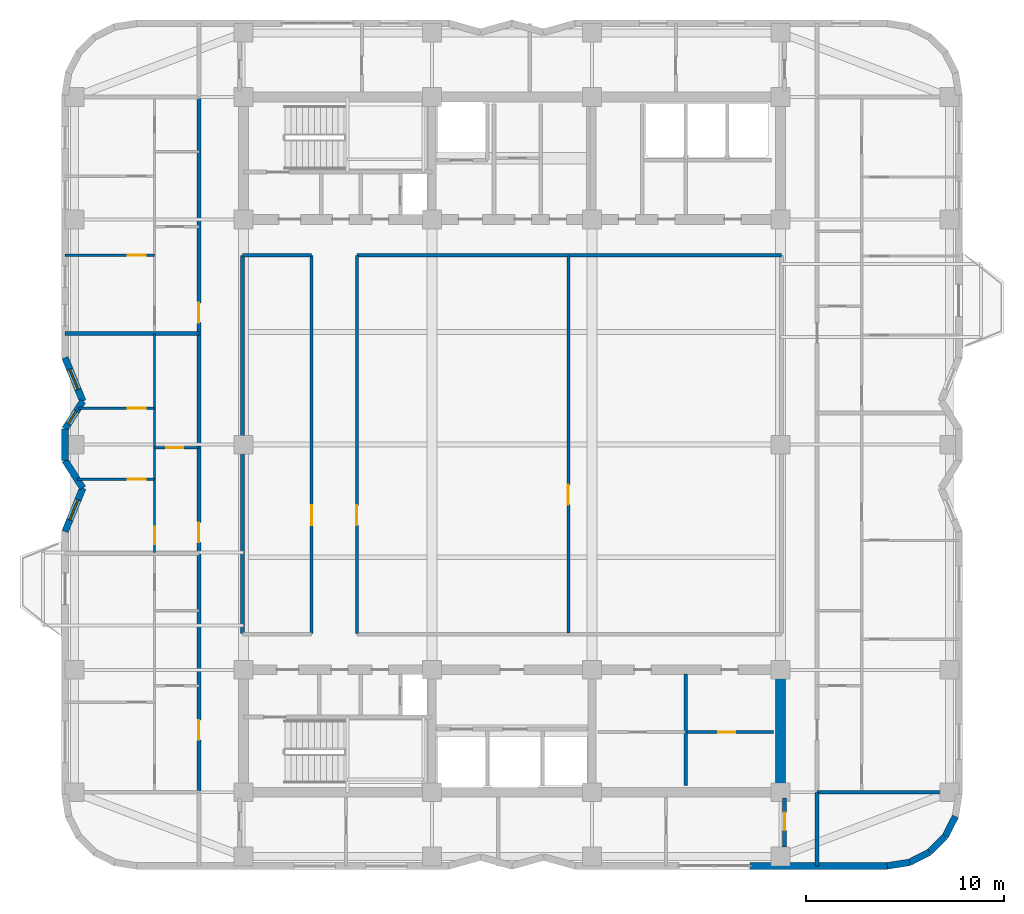
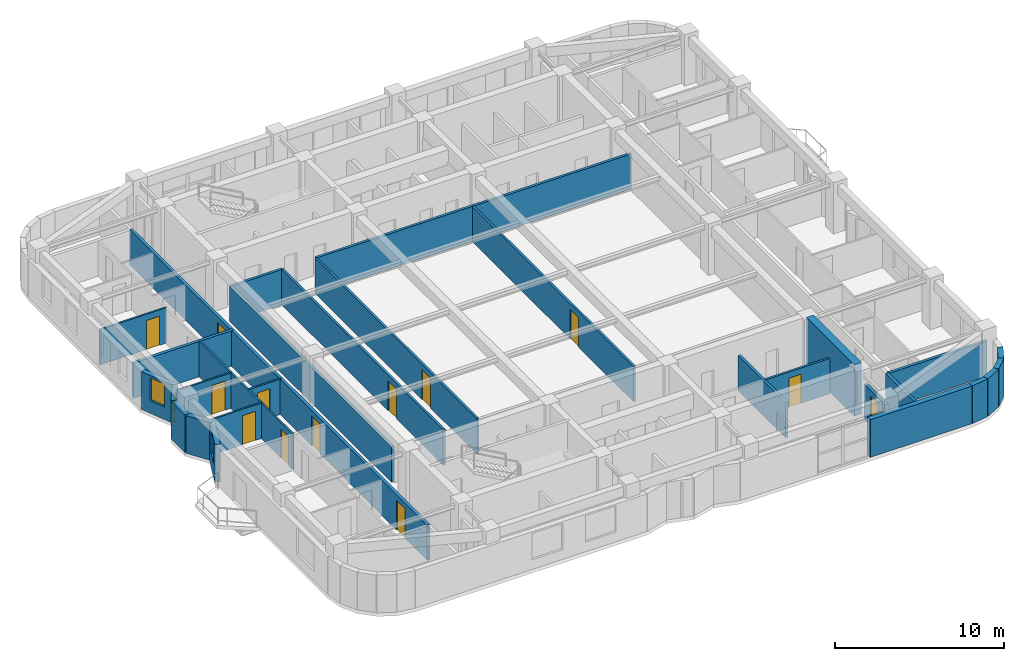
# One storey, part 6 of 12: 29 walls, 13 doors, 3 windows, 16 openings.
"""IFC4 building model written with IfcOpenShell, lengths in metres."""

from ifc_helpers import new_model, si_unit, direction, frame, frame_2d, origin, place, context, subcontext, project, spatial, rectangle, extrude, material, layer, layer_set, type_object, element, fill, save


model = new_model("IFC4")

# Units and contexts
model_context = context("Model", 3, precision=1e-05, world=origin(), true_north=direction((0.0, 1.0)))
body_context = subcontext(model_context, "Body", "Model", "MODEL_VIEW")
ifc_project = project(units=[si_unit("LENGTHUNIT", "METRE"), si_unit("AREAUNIT", "SQUARE_METRE"), si_unit("VOLUMEUNIT", "CUBIC_METRE"), si_unit("PLANEANGLEUNIT", "RADIAN"), si_unit("MASSUNIT", "GRAM", prefix="KILO")], contexts=[model_context])

# Site, building, storey
site_placement = place(None, origin())
site = spatial("IfcSite", under=ifc_project, at=site_placement, CompositionType="ELEMENT")
building_placement = place(site_placement, origin())
building = spatial("IfcBuilding", under=site, at=building_placement, Name="Svetorya Sky Lyceum", CompositionType="ELEMENT")
storey_placement = place(building_placement, frame((0.0, 0.0, 158.89990234375)))
storey = spatial("IfcBuildingStorey", under=building, at=storey_placement, Name="L39", CompositionType="ELEMENT", Elevation=158.89990234375)

# Walls
ifc_material_1 = material(Name="Concrete C50/60", Category="concrete")
ifc_layer_1 = layer(ifc_material_1, 0.5)
ifc_layer_set_1 = layer_set([ifc_layer_1], Name="Concrete C50/60")
wall_type_1 = type_object("IfcWallType", Name="WL-CORE-500", PredefinedType="SHEAR", material=ifc_layer_set_1)
wall_1_placement = place(storey_placement, frame((52.800048828125, 10.85009765625, 0.0), z_axis=(0.0, 0.0, 1.0), x_axis=(0.0, 1.0, 0.0)))
element("IfcWall", 1, at=wall_1_placement, inside=storey, type_object=wall_type_1, Name="L39 SC East Core Shear Wall", PredefinedType="SHEAR", context=body_context, shape_type="SweptSolid", body=[
    extrude(rectangle(XDim=5.699951171875, YDim=0.5, at=frame_2d((2.85009765625, 0.0))), origin(), (0.0, 0.0, 1.0), 3.7001953125),
])
ifc_material_2 = material(Name="Putilovo limestone rainscreen on autoclaved cellular masonry", Category="masonry")
ifc_layer_2 = layer(ifc_material_2, 0.340087890625)
ifc_layer_set_2 = layer_set([ifc_layer_2], Name="Putilovo limestone rainscreen on autoclaved cellular masonry")
wall_type_2 = type_object("IfcWallType", Name="WL-EXT-340", PredefinedType="SOLIDWALL", material=ifc_layer_set_2)
wall_2_placement = place(storey_placement, frame((51.25, 6.8701171875, 0.0), z_axis=(0.0, 0.0, 1.0), x_axis=(1.0, 0.0, 0.0)))
element("IfcWall", 2, at=wall_2_placement, inside=storey, type_object=wall_type_2, Name="L39 Limestone Exterior Wall 11B", PredefinedType="SOLIDWALL", context=body_context, shape_type="SweptSolid", body=[
    extrude(rectangle(XDim=6.949951171875, YDim=0.340087890625, at=frame_2d((3.47509765625, 0.0))), origin(), (0.0, 0.0, 1.0), 2.72021484375),
])
for number, where, z_axis, x_axis, name in (
    (3, (58.199951171875, 6.8701171875, 0.0), (0.0, 0.0, 1.0), (0.987714116584, 0.156271634985, 0.0), "L39 Limestone Exterior Wall 12M"),
    (4, (59.32177734375, 7.047607421875, 0.0), (0.0, 0.0, 1.0), (0.891005044957, 0.453993402883, 0.0), "L39 Limestone Exterior Wall 13M"),
):
    element("IfcWall", number, at=place(storey_placement, frame(where, z_axis=z_axis, x_axis=x_axis)), inside=storey, type_object=wall_type_2, Name=name, PredefinedType="SOLIDWALL", context=body_context, shape_type="SweptSolid", body=[
        extrude(rectangle(XDim=1.1357421875, YDim=0.340087890625, at=frame_2d((0.56787109375, 0.0))), origin(), (0.0, 0.0, 1.0), 2.72021484375),
    ])
wall_3_placement = place(storey_placement, frame((60.333740234375, 7.563232421875, 0.0), z_axis=(0.0, 0.0, 1.0), x_axis=(0.707106781187, 0.707106781187, 0.0)))
element("IfcWall", 5, at=wall_3_placement, inside=storey, type_object=wall_type_2, Name="L39 Limestone Exterior Wall 14M", PredefinedType="SOLIDWALL", context=body_context, shape_type="SweptSolid", body=[
    extrude(rectangle(XDim=1.135498046875, YDim=0.340087890625, at=frame_2d((0.56787109375, 0.0))), origin(), (0.0, 0.0, 1.0), 2.72021484375),
])
wall_4_placement = place(storey_placement, frame((61.13671875, 8.3662109375, 0.0), z_axis=(0.0, 0.0, 1.0), x_axis=(0.45390646422, 0.891049337433, 0.0)))
element("IfcWall", 6, at=wall_4_placement, inside=storey, type_object=wall_type_2, Name="L39 Limestone Exterior Wall 15M", PredefinedType="SOLIDWALL", context=body_context, shape_type="SweptSolid", body=[
    extrude(rectangle(XDim=1.135986328125, YDim=0.340087890625, at=frame_2d((0.56787109375, 0.0))), origin(), (0.0, 0.0, 1.0), 2.72021484375),
])

# Wall, opening, window
wall_5_placement = place(storey_placement, frame((16.570068359375, 32.60009765625, 0.0), z_axis=(0.0, 0.0, 1.0), x_axis=(0.378568858991, -0.925573130013, 0.0)))
wall_5 = element("IfcWall", 7, at=wall_5_placement, inside=storey, type_object=wall_type_2, Name="L39 Limestone Exterior Wall 41M", PredefinedType="SOLIDWALL", context=body_context, shape_type="SweptSolid", body=[
    extrude(rectangle(XDim=2.377197265625, YDim=0.340087890625, at=frame_2d((1.1884765625, 0.0))), origin(), (0.0, 0.0, 1.0), 2.72021484375),
])
opening_1_placement = place(wall_5_placement, frame((0.638427734375, 0.0, 0.909912109375)))
opening_1 = element("IfcOpeningElement", 8, at=opening_1_placement, cuts=wall_5, Name="Opening W-R3", PredefinedType="OPENING", context=body_context, shape_type="SweptSolid", body=[
    extrude(rectangle(XDim=1.10009765625, YDim=1.64990234375, at=frame_2d((0.550048828125, 0.824951171875))), frame((0.0, 0.179931640625, 0.0), z_axis=(0.0, -1.0, 0.0), x_axis=(1.0, 0.0, 0.0)), (0.0, 0.0, 1.0), 0.360107421875),
])
ifc_material_3 = material(Name="Thermally broken aluminium frame with triple low-E glazing", Category="aluminium")
window_type_1 = type_object("IfcWindowType", Name="WN-RES-110", PartitioningType="SINGLE_PANEL", PredefinedType="WINDOW", material=ifc_material_3)
window_1_placement = place(opening_1_placement, origin())
window_1 = element("IfcWindow", 9, at=window_1_placement, inside=storey, type_object=window_type_1, Name="L39 Facade Window W-R3.41M.1", OverallHeight=1.64990234375, OverallWidth=1.10009765625, PartitioningType="SINGLE_PANEL", PredefinedType="WINDOW", context=body_context, shape_type="SweptSolid", body=[
    extrude(rectangle(XDim=1.10009765625, YDim=1.64990234375, at=frame_2d((0.550048828125, 0.824951171875))), frame((0.0, 0.030029296875, 0.0), z_axis=(0.0, -1.0, 0.0), x_axis=(1.0, 0.0, 0.0)), (0.0, 0.0, 1.0), 0.06005859375),
])
fill(opening_1, window_1)

wall_6_placement = place(storey_placement, frame((17.469970703125, 30.39990234375, 0.0), z_axis=(0.0, 0.0, 1.0), x_axis=(-0.540742762169, -0.841188008214, 0.0)))
wall_6 = element("IfcWall", 10, at=wall_6_placement, inside=storey, type_object=wall_type_2, Name="L39 Limestone Exterior Wall 42M", PredefinedType="SOLIDWALL", context=body_context, shape_type="SweptSolid", body=[
    extrude(rectangle(XDim=1.664306640625, YDim=0.340087890625, at=frame_2d((0.83203125, 0.0))), origin(), (0.0, 0.0, 1.0), 2.72021484375),
])
opening_2_placement = place(wall_6_placement, frame((0.60009765625, 0.0, 0.909912109375)))
opening_2 = element("IfcOpeningElement", 11, at=opening_2_placement, cuts=wall_6, Name="Opening W-R5", PredefinedType="OPENING", context=body_context, shape_type="SweptSolid", body=[
    extrude(rectangle(XDim=0.75, YDim=1.64990234375, at=frame_2d((0.375, 0.824951171875))), frame((0.0, 0.179931640625, 0.0), z_axis=(0.0, -1.0, 0.0), x_axis=(1.0, 0.0, 0.0)), (0.0, 0.0, 1.0), 0.360107421875),
])
window_type_2 = type_object("IfcWindowType", Name="WN-RES-075", PartitioningType="SINGLE_PANEL", PredefinedType="WINDOW", material=ifc_material_3)
window_2_placement = place(opening_2_placement, origin())
window_2 = element("IfcWindow", 12, at=window_2_placement, inside=storey, type_object=window_type_2, Name="L39 Facade Window W-R5.42M.1", OverallHeight=1.64990234375, OverallWidth=0.75, PartitioningType="SINGLE_PANEL", PredefinedType="WINDOW", context=body_context, shape_type="SweptSolid", body=[
    extrude(rectangle(XDim=0.75, YDim=1.64990234375, at=frame_2d((0.375, 0.824951171875))), frame((0.0, 0.030029296875, 0.0), z_axis=(0.0, -1.0, 0.0), x_axis=(1.0, 0.0, 0.0)), (0.0, 0.0, 1.0), 0.06005859375),
])
fill(opening_2, window_2)

# Walls
wall_7_placement = place(storey_placement, frame((16.570068359375, 29.0, 0.0), z_axis=(0.0, 0.0, 1.0), x_axis=(0.0, -1.0, 0.0)))
element("IfcWall", 13, at=wall_7_placement, inside=storey, type_object=wall_type_2, Name="L39 Limestone Exterior Wall 43M", PredefinedType="SOLIDWALL", context=body_context, shape_type="SweptSolid", body=[
    extrude(rectangle(XDim=1.60009765625, YDim=0.340087890625, at=frame_2d((0.800048828125, 0.0))), origin(), (0.0, 0.0, 1.0), 2.72021484375),
])
wall_8_placement = place(storey_placement, frame((16.570068359375, 27.39990234375, 0.0), z_axis=(0.0, 0.0, 1.0), x_axis=(0.540742762169, -0.841188008214, 0.0)))
element("IfcWall", 14, at=wall_8_placement, inside=storey, type_object=wall_type_2, Name="L39 Limestone Exterior Wall 44M", PredefinedType="SOLIDWALL", context=body_context, shape_type="SweptSolid", body=[
    extrude(rectangle(XDim=1.664306640625, YDim=0.340087890625, at=frame_2d((0.83203125, 0.0))), origin(), (0.0, 0.0, 1.0), 2.72021484375),
])

# Wall, opening, window
wall_9_placement = place(storey_placement, frame((17.469970703125, 26.0, 0.0), z_axis=(0.0, 0.0, 1.0), x_axis=(-0.378604849088, -0.925558408879, 0.0)))
wall_9 = element("IfcWall", 15, at=wall_9_placement, inside=storey, type_object=wall_type_2, Name="L39 Limestone Exterior Wall 45M", PredefinedType="SOLIDWALL", context=body_context, shape_type="SweptSolid", body=[
    extrude(rectangle(XDim=2.376953125, YDim=0.340087890625, at=frame_2d((1.1884765625, 0.0))), origin(), (0.0, 0.0, 1.0), 2.72021484375),
])
opening_3_placement = place(wall_9_placement, frame((0.638427734375, 0.0, 0.909912109375)))
opening_3 = element("IfcOpeningElement", 16, at=opening_3_placement, cuts=wall_9, Name="Opening W-R3", PredefinedType="OPENING", context=body_context, shape_type="SweptSolid", body=[
    extrude(rectangle(XDim=1.10009765625, YDim=1.64990234375, at=frame_2d((0.550048828125, 0.824951171875))), frame((0.0, 0.179931640625, 0.0), z_axis=(0.0, -1.0, 0.0), x_axis=(1.0, 0.0, 0.0)), (0.0, 0.0, 1.0), 0.360107421875),
])
window_3_placement = place(opening_3_placement, origin())
window_3 = element("IfcWindow", 17, at=window_3_placement, inside=storey, type_object=window_type_1, Name="L39 Facade Window W-R3.45M.1", OverallHeight=1.64990234375, OverallWidth=1.10009765625, PartitioningType="SINGLE_PANEL", PredefinedType="WINDOW", context=body_context, shape_type="SweptSolid", body=[
    extrude(rectangle(XDim=1.10009765625, YDim=1.64990234375, at=frame_2d((0.550048828125, 0.824951171875))), frame((0.0, 0.030029296875, 0.0), z_axis=(0.0, -1.0, 0.0), x_axis=(1.0, 0.0, 0.0)), (0.0, 0.0, 1.0), 0.06005859375),
])
fill(opening_3, window_3)

# Wall, opening, door
ifc_material_4 = material(Name="Twin-stud galvanized framing with double fireboard", Category="gypsum")
ifc_layer_3 = layer(ifc_material_4, 0.1201171875)
ifc_layer_set_3 = layer_set([ifc_layer_3], Name="Twin-stud galvanized framing with double fireboard")
wall_type_3 = type_object("IfcWallType", Name="WL-PART-120", PredefinedType="PARTITIONING", material=ifc_layer_set_3)
wall_10_placement = place(storey_placement, frame((21.10009765625, 28.0400390625, 0.0), z_axis=(0.0, 0.0, 1.0), x_axis=(1.0, 0.0, 0.0)))
wall_10 = element("IfcWall", 18, at=wall_10_placement, inside=storey, type_object=wall_type_3, Name="L39 Interior Partition W2-WH1", PredefinedType="PARTITIONING", context=body_context, shape_type="SweptSolid", body=[
    extrude(rectangle(XDim=2.25, YDim=0.1201171875, at=frame_2d((1.125, 0.0))), origin(), (0.0, 0.0, 1.0), 2.550048828125),
])
opening_4_placement = place(wall_10_placement, frame((0.60009765625, 0.0, 0.0)))
opening_4 = element("IfcOpeningElement", 19, at=opening_4_placement, cuts=wall_10, Name="Opening D-BT1", PredefinedType="OPENING", context=body_context, shape_type="SweptSolid", body=[
    extrude(rectangle(XDim=0.85009765625, YDim=2.10009765625, at=frame_2d((0.425048828125, 1.050048828125))), frame((0.0, 0.070068359375, 0.0), z_axis=(0.0, -1.0, 0.0), x_axis=(1.0, 0.0, 0.0)), (0.0, 0.0, 1.0), 0.14013671875),
])
ifc_material_5 = material(Name="Moisture-resistant laminate bathroom door")
door_type_1 = type_object("IfcDoorType", Name="DR-WET-850", OperationType="SINGLE_SWING_LEFT", PredefinedType="DOOR", material=ifc_material_5)
door_1_placement = place(opening_4_placement, origin())
door_1 = element("IfcDoor", 20, at=door_1_placement, inside=storey, type_object=door_type_1, Name="Apartment W2 Bathroom Door", OperationType="SINGLE_SWING_RIGHT", OverallHeight=2.10009765625, OverallWidth=0.85009765625, PredefinedType="DOOR", context=body_context, shape_type="SweptSolid", body=[
    extrude(rectangle(XDim=0.85009765625, YDim=2.10009765625, at=frame_2d((0.425048828125, 1.050048828125))), frame((0.0, 0.02490234375, 0.0), z_axis=(0.0, -1.0, 0.0), x_axis=(1.0, 0.0, 0.0)), (0.0, 0.0, 1.0), 0.050048828125),
])
fill(opening_4, door_1)

wall_11_placement = place(storey_placement, frame((17.1806640625, 26.449951171875, 0.0), z_axis=(0.0, 0.0, 1.0), x_axis=(1.0, 0.0, 0.0)))
wall_11 = element("IfcWall", 21, at=wall_11_placement, inside=storey, type_object=wall_type_3, Name="L39 Interior Partition W2-WL1", PredefinedType="PARTITIONING", context=body_context, shape_type="SweptSolid", body=[
    extrude(rectangle(XDim=3.91943359375, YDim=0.1201171875, at=frame_2d((1.959716796875, 0.0))), origin(), (0.0, 0.0, 1.0), 2.550048828125),
])
opening_5_placement = place(wall_11_placement, frame((2.5693359375, 0.0, 0.0)))
opening_5 = element("IfcOpeningElement", 22, at=opening_5_placement, cuts=wall_11, Name="Opening D-RM1", PredefinedType="OPENING", context=body_context, shape_type="SweptSolid", body=[
    extrude(rectangle(XDim=0.89990234375, YDim=2.10009765625, at=frame_2d((0.449951171875, 1.050048828125))), frame((0.0, 0.070068359375, 0.0), z_axis=(0.0, -1.0, 0.0), x_axis=(1.0, 0.0, 0.0)), (0.0, 0.0, 1.0), 0.14013671875),
])
ifc_material_6 = material(Name="Lacquered birch veneer internal door")
door_type_2 = type_object("IfcDoorType", Name="DR-INT-900", OperationType="SINGLE_SWING_LEFT", PredefinedType="DOOR", material=ifc_material_6)
door_2_placement = place(opening_5_placement, origin())
door_2 = element("IfcDoor", 23, at=door_2_placement, inside=storey, type_object=door_type_2, Name="Apartment W2 Master Bedroom Door", OperationType="SINGLE_SWING_RIGHT", OverallHeight=2.10009765625, OverallWidth=0.89990234375, PredefinedType="DOOR", context=body_context, shape_type="SweptSolid", body=[
    extrude(rectangle(XDim=0.89990234375, YDim=2.10009765625, at=frame_2d((0.449951171875, 1.050048828125))), frame((0.0, 0.02490234375, 0.0), z_axis=(0.0, -1.0, 0.0), x_axis=(1.0, 0.0, 0.0)), (0.0, 0.0, 1.0), 0.050048828125),
])
fill(opening_5, door_2)

wall_12_placement = place(storey_placement, frame((17.2451171875, 30.050048828125, 0.0), z_axis=(0.0, 0.0, 1.0), x_axis=(1.0, 0.0, 0.0)))
wall_12 = element("IfcWall", 24, at=wall_12_placement, inside=storey, type_object=wall_type_3, Name="L39 Interior Partition W2-WL2", PredefinedType="PARTITIONING", context=body_context, shape_type="SweptSolid", body=[
    extrude(rectangle(XDim=3.85498046875, YDim=0.1201171875, at=frame_2d((1.927490234375, 0.0))), origin(), (0.0, 0.0, 1.0), 2.550048828125),
])
opening_6_placement = place(wall_12_placement, frame((2.5048828125, 0.0, 0.0)))
opening_6 = element("IfcOpeningElement", 25, at=opening_6_placement, cuts=wall_12, Name="Opening D-RM1", PredefinedType="OPENING", context=body_context, shape_type="SweptSolid", body=[
    extrude(rectangle(XDim=0.89990234375, YDim=2.10009765625, at=frame_2d((0.449951171875, 1.050048828125))), frame((0.0, 0.070068359375, 0.0), z_axis=(0.0, -1.0, 0.0), x_axis=(1.0, 0.0, 0.0)), (0.0, 0.0, 1.0), 0.14013671875),
])
door_3_placement = place(opening_6_placement, origin())
door_3 = element("IfcDoor", 26, at=door_3_placement, inside=storey, type_object=door_type_2, Name="Apartment W2 Bedroom 2 Door", OperationType="SINGLE_SWING_LEFT", OverallHeight=2.10009765625, OverallWidth=0.89990234375, PredefinedType="DOOR", context=body_context, shape_type="SweptSolid", body=[
    extrude(rectangle(XDim=0.89990234375, YDim=2.10009765625, at=frame_2d((0.449951171875, 1.050048828125))), frame((0.0, 0.02490234375, 0.0), z_axis=(0.0, -1.0, 0.0), x_axis=(1.0, 0.0, 0.0)), (0.0, 0.0, 1.0), 0.050048828125),
])
fill(opening_6, door_3)

wall_13_placement = place(storey_placement, frame((21.10009765625, 22.739990234375, 0.0), z_axis=(0.0, 0.0, 1.0), x_axis=(0.0, 1.0, 0.0)))
wall_13 = element("IfcWall", 27, at=wall_13_placement, inside=storey, type_object=wall_type_3, Name="L39 Interior Partition W2-WV", PredefinedType="PARTITIONING", context=body_context, shape_type="SweptSolid", body=[
    extrude(rectangle(XDim=11.052001953125, YDim=0.1201171875, at=frame_2d((5.52587890625, 0.0))), origin(), (0.0, 0.0, 1.0), 2.550048828125),
])
opening_7_placement = place(wall_13_placement, frame((0.409912109375, 0.0, 0.0)))
opening_7 = element("IfcOpeningElement", 28, at=opening_7_placement, cuts=wall_13, Name="Opening D-RM1", PredefinedType="OPENING", context=body_context, shape_type="SweptSolid", body=[
    extrude(rectangle(XDim=0.89990234375, YDim=2.10009765625, at=frame_2d((0.449951171875, 1.050048828125))), frame((0.0, 0.070068359375, 0.0), z_axis=(0.0, -1.0, 0.0), x_axis=(1.0, 0.0, 0.0)), (0.0, 0.0, 1.0), 0.14013671875),
])
door_4_placement = place(opening_7_placement, origin())
door_4 = element("IfcDoor", 29, at=door_4_placement, inside=storey, type_object=door_type_2, Name="Apartment W2 Living Door", OperationType="SINGLE_SWING_LEFT", OverallHeight=2.10009765625, OverallWidth=0.89990234375, PredefinedType="DOOR", context=body_context, shape_type="SweptSolid", body=[
    extrude(rectangle(XDim=0.89990234375, YDim=2.10009765625, at=frame_2d((0.449951171875, 1.050048828125))), frame((0.0, 0.02490234375, 0.0), z_axis=(0.0, -1.0, 0.0), x_axis=(1.0, 0.0, 0.0)), (0.0, 0.0, 1.0), 0.050048828125),
])
fill(opening_7, door_4)

wall_14_placement = place(storey_placement, frame((16.570068359375, 37.781982421875, 0.0), z_axis=(0.0, 0.0, 1.0), x_axis=(1.0, 0.0, 0.0)))
wall_14 = element("IfcWall", 30, at=wall_14_placement, inside=storey, type_object=wall_type_3, Name="L39 Interior Partition W3-WL1", PredefinedType="PARTITIONING", context=body_context, shape_type="SweptSolid", body=[
    extrude(rectangle(XDim=4.530029296875, YDim=0.1201171875, at=frame_2d((2.26513671875, 0.0))), origin(), (0.0, 0.0, 1.0), 2.550048828125),
])
opening_8_placement = place(wall_14_placement, frame((3.179931640625, 0.0, 0.0)))
opening_8 = element("IfcOpeningElement", 31, at=opening_8_placement, cuts=wall_14, Name="Opening D-RM1", PredefinedType="OPENING", context=body_context, shape_type="SweptSolid", body=[
    extrude(rectangle(XDim=0.89990234375, YDim=2.10009765625, at=frame_2d((0.449951171875, 1.050048828125))), frame((0.0, 0.070068359375, 0.0), z_axis=(0.0, -1.0, 0.0), x_axis=(1.0, 0.0, 0.0)), (0.0, 0.0, 1.0), 0.14013671875),
])
door_5_placement = place(opening_8_placement, origin())
door_5 = element("IfcDoor", 32, at=door_5_placement, inside=storey, type_object=door_type_2, Name="Apartment W3 Master Bedroom Door", OperationType="SINGLE_SWING_LEFT", OverallHeight=2.10009765625, OverallWidth=0.89990234375, PredefinedType="DOOR", context=body_context, shape_type="SweptSolid", body=[
    extrude(rectangle(XDim=0.89990234375, YDim=2.10009765625, at=frame_2d((0.449951171875, 1.050048828125))), frame((0.0, 0.02490234375, 0.0), z_axis=(0.0, -1.0, 0.0), x_axis=(1.0, 0.0, 0.0)), (0.0, 0.0, 1.0), 0.050048828125),
])
fill(opening_8, door_5)

ifc_material_7 = material(Name="Autoclaved cellular masonry blockwork with acoustic render", Category="masonry")
ifc_layer_4 = layer(ifc_material_7, 0.14990234375)
ifc_layer_set_4 = layer_set([ifc_layer_4], Name="Autoclaved cellular masonry blockwork with acoustic render")
wall_type_4 = type_object("IfcWallType", Name="WL-PART-150", PredefinedType="PARTITIONING", material=ifc_layer_set_4)
wall_15_placement = place(storey_placement, frame((48.050048828125, 13.64990234375, 0.0), z_axis=(0.0, 0.0, 1.0), x_axis=(1.0, 0.0, 0.0)))
wall_15 = element("IfcWall", 33, at=wall_15_placement, inside=storey, type_object=wall_type_4, Name="L39 Interior Partition SC-LV7-HE", PredefinedType="PARTITIONING", context=body_context, shape_type="SweptSolid", body=[
    extrude(rectangle(XDim=4.39990234375, YDim=0.14990234375, at=frame_2d((2.199951171875, 0.0))), origin(), (0.0, 0.0, 1.0), 2.550048828125),
])
opening_9_placement = place(wall_15_placement, frame((1.60009765625, 0.0, 0.0)))
opening_9 = element("IfcOpeningElement", 34, at=opening_9_placement, cuts=wall_15, Name="Opening D-CWC1", PredefinedType="OPENING", context=body_context, shape_type="SweptSolid", body=[
    extrude(rectangle(XDim=0.85009765625, YDim=2.10009765625, at=frame_2d((0.425048828125, 1.050048828125))), frame((0.0, 0.0849609375, 0.0), z_axis=(0.0, -1.0, 0.0), x_axis=(1.0, 0.0, 0.0)), (0.0, 0.0, 1.0), 0.169921875),
])
ifc_material_8 = material(Name="Fire-rated galvanized steel core service closet door", Category="steel")
door_type_3 = type_object("IfcDoorType", Name="DR-CWET-850", OperationType="SINGLE_SWING_LEFT", PredefinedType="DOOR", material=ifc_material_8)
door_6_placement = place(opening_9_placement, origin())
door_6 = element("IfcDoor", 35, at=door_6_placement, inside=storey, type_object=door_type_3, Name="L39 South Server Closet Door", OperationType="SINGLE_SWING_RIGHT", OverallHeight=2.10009765625, OverallWidth=0.85009765625, PredefinedType="DOOR", context=body_context, shape_type="SweptSolid", body=[
    extrude(rectangle(XDim=0.85009765625, YDim=2.10009765625, at=frame_2d((0.425048828125, 1.050048828125))), frame((0.0, 0.02490234375, 0.0), z_axis=(0.0, -1.0, 0.0), x_axis=(1.0, 0.0, 0.0)), (0.0, 0.0, 1.0), 0.050048828125),
])
fill(opening_9, door_6)

wall_16_placement = place(storey_placement, frame((42.06005859375, 18.659912109375, 0.0), z_axis=(0.0, 0.0, 1.0), x_axis=(0.0, 1.0, 0.0)))
wall_16 = element("IfcWall", 36, at=wall_16_placement, inside=storey, type_object=wall_type_4, Name="L39 Interior Partition OFF-VEMID", PredefinedType="PARTITIONING", context=body_context, shape_type="SweptSolid", body=[
    extrude(rectangle(XDim=19.080078125, YDim=0.14990234375, at=frame_2d((9.5400390625, 0.0))), origin(), (0.0, 0.0, 1.0), 2.550048828125),
])
opening_10_placement = place(wall_16_placement, frame((6.5, 0.0, 0.0)))
opening_10 = element("IfcOpeningElement", 37, at=opening_10_placement, cuts=wall_16, Name="Opening D-RM2", PredefinedType="OPENING", context=body_context, shape_type="SweptSolid", body=[
    extrude(rectangle(XDim=1.0, YDim=2.14990234375, at=frame_2d((0.5, 1.074951171875))), frame((0.0, 0.0849609375, 0.0), z_axis=(0.0, -1.0, 0.0), x_axis=(1.0, 0.0, 0.0)), (0.0, 0.0, 1.0), 0.169921875),
])
ifc_material_9 = material(Name="Solid-core oak acoustic room door")
door_type_4 = type_object("IfcDoorType", Name="DR-INT-1000", OperationType="SINGLE_SWING_LEFT", PredefinedType="DOOR", material=ifc_material_9)
door_7_placement = place(opening_10_placement, origin())
door_7 = element("IfcDoor", 38, at=door_7_placement, inside=storey, type_object=door_type_4, Name="L39 Recreation Door", OperationType="SINGLE_SWING_LEFT", OverallHeight=2.14990234375, OverallWidth=1.0, PredefinedType="DOOR", context=body_context, shape_type="SweptSolid", body=[
    extrude(rectangle(XDim=1.0, YDim=2.14990234375, at=frame_2d((0.5, 1.074951171875))), frame((0.0, 0.02490234375, 0.0), z_axis=(0.0, -1.0, 0.0), x_axis=(1.0, 0.0, 0.0)), (0.0, 0.0, 1.0), 0.050048828125),
])
fill(opening_10, door_7)

wall_17_placement = place(storey_placement, frame((29.050048828125, 18.6298828125, 0.0), z_axis=(0.0, 0.0, 1.0), x_axis=(0.0, 1.0, 0.0)))
wall_17 = element("IfcWall", 39, at=wall_17_placement, inside=storey, type_object=wall_type_4, Name="L39 Interior Partition OFF-VW", PredefinedType="PARTITIONING", context=body_context, shape_type="SweptSolid", body=[
    extrude(rectangle(XDim=19.14013671875, YDim=0.14990234375, at=frame_2d((9.570068359375, 0.0))), origin(), (0.0, 0.0, 1.0), 2.550048828125),
])
opening_11_placement = place(wall_17_placement, frame((5.5, 0.0, 0.0)))
opening_11 = element("IfcOpeningElement", 40, at=opening_11_placement, cuts=wall_17, Name="Opening D-RM2", PredefinedType="OPENING", context=body_context, shape_type="SweptSolid", body=[
    extrude(rectangle(XDim=1.0, YDim=2.14990234375, at=frame_2d((0.5, 1.074951171875))), frame((0.0, 0.0849609375, 0.0), z_axis=(0.0, -1.0, 0.0), x_axis=(1.0, 0.0, 0.0)), (0.0, 0.0, 1.0), 0.169921875),
])
door_8_placement = place(opening_11_placement, origin())
door_8 = element("IfcDoor", 41, at=door_8_placement, inside=storey, type_object=door_type_4, Name="L39 West Office Door", OperationType="SINGLE_SWING_LEFT", OverallHeight=2.14990234375, OverallWidth=1.0, PredefinedType="DOOR", context=body_context, shape_type="SweptSolid", body=[
    extrude(rectangle(XDim=1.0, YDim=2.14990234375, at=frame_2d((0.5, 1.074951171875))), frame((0.0, 0.02490234375, 0.0), z_axis=(0.0, -1.0, 0.0), x_axis=(1.0, 0.0, 0.0)), (0.0, 0.0, 1.0), 0.050048828125),
])
fill(opening_11, door_8)

wall_18_placement = place(storey_placement, frame((31.35009765625, 18.6298828125, 0.0), z_axis=(0.0, 0.0, 1.0), x_axis=(0.0, 1.0, 0.0)))
wall_18 = element("IfcWall", 42, at=wall_18_placement, inside=storey, type_object=wall_type_4, Name="L39 Interior Partition OFF-VE", PredefinedType="PARTITIONING", context=body_context, shape_type="SweptSolid", body=[
    extrude(rectangle(XDim=19.14013671875, YDim=0.14990234375, at=frame_2d((9.570068359375, 0.0))), origin(), (0.0, 0.0, 1.0), 2.550048828125),
])
opening_12_placement = place(wall_18_placement, frame((5.5, 0.0, 0.0)))
opening_12 = element("IfcOpeningElement", 43, at=opening_12_placement, cuts=wall_18, Name="Opening D-RM2", PredefinedType="OPENING", context=body_context, shape_type="SweptSolid", body=[
    extrude(rectangle(XDim=1.0, YDim=2.14990234375, at=frame_2d((0.5, 1.074951171875))), frame((0.0, 0.0849609375, 0.0), z_axis=(0.0, -1.0, 0.0), x_axis=(1.0, 0.0, 0.0)), (0.0, 0.0, 1.0), 0.169921875),
])
door_9_placement = place(opening_12_placement, origin())
door_9 = element("IfcDoor", 44, at=door_9_placement, inside=storey, type_object=door_type_4, Name="L39 Seminar Door", OperationType="SINGLE_SWING_RIGHT", OverallHeight=2.14990234375, OverallWidth=1.0, PredefinedType="DOOR", context=body_context, shape_type="SweptSolid", body=[
    extrude(rectangle(XDim=1.0, YDim=2.14990234375, at=frame_2d((0.5, 1.074951171875))), frame((0.0, 0.02490234375, 0.0), z_axis=(0.0, -1.0, 0.0), x_axis=(1.0, 0.0, 0.0)), (0.0, 0.0, 1.0), 0.050048828125),
])
fill(opening_12, door_9)

# Walls
ifc_material_10 = material(Name="Autoclaved cellular masonry blockwork with fire render", Category="masonry")
ifc_layer_5 = layer(ifc_material_10, 0.175048828125)
ifc_layer_set_5 = layer_set([ifc_layer_5], Name="Autoclaved cellular masonry blockwork with fire render")
wall_type_5 = type_object("IfcWallType", Name="WL-PART-175", PredefinedType="PARTITIONING", material=ifc_layer_set_5)
wall_19_placement = place(storey_placement, frame((48.0, 10.949951171875, 0.0), z_axis=(0.0, 0.0, 1.0), x_axis=(0.0, 1.0, 0.0)))
element("IfcWall", 45, at=wall_19_placement, inside=storey, type_object=wall_type_5, Name="L39 Interior Partition SC-LV7-V", PredefinedType="PARTITIONING", context=body_context, shape_type="SweptSolid", body=[
    extrude(rectangle(XDim=5.630126953125, YDim=0.175048828125, at=frame_2d((2.81494140625, 0.0))), origin(), (0.0, 0.0, 1.0), 2.550048828125),
])
wall_20_placement = place(storey_placement, frame((25.550048828125, 37.800048828125, 0.0), z_axis=(0.0, 0.0, 1.0), x_axis=(1.0, 0.0, 0.0)))
element("IfcWall", 46, at=wall_20_placement, inside=storey, type_object=wall_type_5, Name="L39 Interior Partition OFF-CN-W", PredefinedType="PARTITIONING", context=body_context, shape_type="SweptSolid", body=[
    extrude(rectangle(XDim=3.5, YDim=0.175048828125, at=frame_2d((1.75, 0.0))), origin(), (0.0, 0.0, 1.0), 2.550048828125),
])
wall_21_placement = place(storey_placement, frame((31.35009765625, 37.800048828125, 0.0), z_axis=(0.0, 0.0, 1.0), x_axis=(1.0, 0.0, 0.0)))
element("IfcWall", 47, at=wall_21_placement, inside=storey, type_object=wall_type_5, Name="L39 Interior Partition OFF-CN-E", PredefinedType="PARTITIONING", context=body_context, shape_type="SweptSolid", body=[
    extrude(rectangle(XDim=21.5, YDim=0.175048828125, at=frame_2d((10.75, 0.0))), origin(), (0.0, 0.0, 1.0), 2.550048828125),
])
ifc_material_11 = material(Name="Autoclaved cellular masonry blockwork with gypsum plaster", Category="masonry")
ifc_layer_6 = layer(ifc_material_11, 0.199951171875)
ifc_layer_set_6 = layer_set([ifc_layer_6], Name="Autoclaved cellular masonry blockwork with gypsum plaster")
wall_type_6 = type_object("IfcWallType", Name="WL-PART-200", PredefinedType="PARTITIONING", material=ifc_layer_set_6)
wall_22_placement = place(storey_placement, frame((25.550048828125, 18.6298828125, 0.0), z_axis=(0.0, 0.0, 1.0), x_axis=(0.0, 1.0, 0.0)))
element("IfcWall", 48, at=wall_22_placement, inside=storey, type_object=wall_type_6, Name="L39 Interior Partition W-CEN-SEP", PredefinedType="PARTITIONING", context=body_context, shape_type="SweptSolid", body=[
    extrude(rectangle(XDim=19.14013671875, YDim=0.199951171875, at=frame_2d((9.570068359375, 0.0))), origin(), (0.0, 0.0, 1.0), 2.550048828125),
])
wall_23_placement = place(storey_placement, frame((16.570068359375, 33.83203125, 0.0), z_axis=(0.0, 0.0, 1.0), x_axis=(1.0, 0.0, 0.0)))
element("IfcWall", 49, at=wall_23_placement, inside=storey, type_object=wall_type_6, Name="L39 Interior Partition W-PARTY-2", PredefinedType="PARTITIONING", context=body_context, shape_type="SweptSolid", body=[
    extrude(rectangle(XDim=6.780029296875, YDim=0.199951171875, at=frame_2d((3.39013671875, 0.0))), origin(), (0.0, 0.0, 1.0), 2.550048828125),
])

# Wall, openings, doors
wall_24_placement = place(storey_placement, frame((23.35009765625, 10.60009765625, 0.0), z_axis=(0.0, 0.0, 1.0), x_axis=(0.0, 1.0, 0.0)))
wall_24 = element("IfcWall", 50, at=wall_24_placement, inside=storey, type_object=wall_type_6, Name="L39 Interior Partition W-CORRW", PredefinedType="PARTITIONING", context=body_context, shape_type="SweptSolid", body=[
    extrude(rectangle(XDim=35.199951171875, YDim=0.199951171875, at=frame_2d((17.60009765625, 0.0))), origin(), (0.0, 0.0, 1.0), 2.550048828125),
])
opening_13_placement = place(wall_24_placement, frame((2.64990234375, 0.0, 0.0)))
opening_13 = element("IfcOpeningElement", 51, at=opening_13_placement, cuts=wall_24, Name="Opening D-APT1", PredefinedType="OPENING", context=body_context, shape_type="SweptSolid", body=[
    extrude(rectangle(XDim=1.0, YDim=2.14990234375, at=frame_2d((0.5, 1.074951171875))), frame((0.0, 0.10986328125, 0.0), z_axis=(0.0, -1.0, 0.0), x_axis=(1.0, 0.0, 0.0)), (0.0, 0.0, 1.0), 0.219970703125),
])
opening_14_placement = place(wall_24_placement, frame((12.64990234375, 0.0, 0.0)))
opening_14 = element("IfcOpeningElement", 52, at=opening_14_placement, cuts=wall_24, Name="Opening D-APT1", PredefinedType="OPENING", context=body_context, shape_type="SweptSolid", body=[
    extrude(rectangle(XDim=1.0, YDim=2.14990234375, at=frame_2d((0.5, 1.074951171875))), frame((0.0, 0.10986328125, 0.0), z_axis=(0.0, -1.0, 0.0), x_axis=(1.0, 0.0, 0.0)), (0.0, 0.0, 1.0), 0.219970703125),
])
opening_15_placement = place(wall_24_placement, frame((23.781982421875, 0.0, 0.0)))
opening_15 = element("IfcOpeningElement", 53, at=opening_15_placement, cuts=wall_24, Name="Opening D-APT1", PredefinedType="OPENING", context=body_context, shape_type="SweptSolid", body=[
    extrude(rectangle(XDim=1.0, YDim=2.14990234375, at=frame_2d((0.5, 1.074951171875))), frame((0.0, 0.10986328125, 0.0), z_axis=(0.0, -1.0, 0.0), x_axis=(1.0, 0.0, 0.0)), (0.0, 0.0, 1.0), 0.219970703125),
])
ifc_material_12 = material(Name="Insulated oak-veneered apartment entrance door")
door_type_5 = type_object("IfcDoorType", Name="DR-APT-1000", OperationType="SINGLE_SWING_LEFT", PredefinedType="DOOR", material=ifc_material_12)
door_10_placement = place(opening_13_placement, origin())
door_10 = element("IfcDoor", 54, at=door_10_placement, inside=storey, type_object=door_type_5, Name="L39 Apartment W1 Entrance Door", OperationType="SINGLE_SWING_LEFT", OverallHeight=2.14990234375, OverallWidth=1.0, PredefinedType="DOOR", context=body_context, shape_type="SweptSolid", body=[
    extrude(rectangle(XDim=1.0, YDim=2.14990234375, at=frame_2d((0.5, 1.074951171875))), frame((0.0, 0.02490234375, 0.0), z_axis=(0.0, -1.0, 0.0), x_axis=(1.0, 0.0, 0.0)), (0.0, 0.0, 1.0), 0.050048828125),
])
fill(opening_13, door_10)
door_11_placement = place(opening_14_placement, origin())
door_11 = element("IfcDoor", 55, at=door_11_placement, inside=storey, type_object=door_type_5, Name="L39 Apartment W2 Entrance Door", OperationType="SINGLE_SWING_RIGHT", OverallHeight=2.14990234375, OverallWidth=1.0, PredefinedType="DOOR", context=body_context, shape_type="SweptSolid", body=[
    extrude(rectangle(XDim=1.0, YDim=2.14990234375, at=frame_2d((0.5, 1.074951171875))), frame((0.0, 0.02490234375, 0.0), z_axis=(0.0, -1.0, 0.0), x_axis=(1.0, 0.0, 0.0)), (0.0, 0.0, 1.0), 0.050048828125),
])
fill(opening_14, door_11)
door_12_placement = place(opening_15_placement, origin())
door_12 = element("IfcDoor", 56, at=door_12_placement, inside=storey, type_object=door_type_5, Name="L39 Apartment W3 Entrance Door", OperationType="SINGLE_SWING_LEFT", OverallHeight=2.14990234375, OverallWidth=1.0, PredefinedType="DOOR", context=body_context, shape_type="SweptSolid", body=[
    extrude(rectangle(XDim=1.0, YDim=2.14990234375, at=frame_2d((0.5, 1.074951171875))), frame((0.0, 0.02490234375, 0.0), z_axis=(0.0, -1.0, 0.0), x_axis=(1.0, 0.0, 0.0)), (0.0, 0.0, 1.0), 0.050048828125),
])
fill(opening_15, door_12)

# Walls
wall_25_placement = place(storey_placement, frame((54.64990234375, 10.60009765625, 0.0), z_axis=(0.0, 0.0, 1.0), x_axis=(1.0, 0.0, 0.0)))
element("IfcWall", 57, at=wall_25_placement, inside=storey, type_object=wall_type_6, Name="L39 Interior Partition E-CAP-S", PredefinedType="PARTITIONING", context=body_context, shape_type="SweptSolid", body=[
    extrude(rectangle(XDim=6.760009765625, YDim=0.199951171875, at=frame_2d((3.3798828125, 0.0))), origin(), (0.0, 0.0, 1.0), 2.550048828125),
])
wall_26_placement = place(storey_placement, frame((54.64990234375, 6.8701171875, 0.0), z_axis=(0.0, 0.0, 1.0), x_axis=(0.0, 1.0, 0.0)))
element("IfcWall", 58, at=wall_26_placement, inside=storey, type_object=wall_type_6, Name="L39 Interior Partition EC-SE-END", PredefinedType="PARTITIONING", context=body_context, shape_type="SweptSolid", body=[
    extrude(rectangle(XDim=3.72998046875, YDim=0.199951171875, at=frame_2d((1.864990234375, 0.0))), origin(), (0.0, 0.0, 1.0), 2.550048828125),
])

# Wall, opening, door
wall_27_placement = place(storey_placement, frame((53.0, 7.820068359375, 0.0), z_axis=(0.0, 0.0, 1.0), x_axis=(0.0, 1.0, 0.0)))
wall_27 = element("IfcWall", 59, at=wall_27_placement, inside=storey, type_object=wall_type_6, Name="L39 Interior Partition S4-EE", PredefinedType="PARTITIONING", context=body_context, shape_type="SweptSolid", body=[
    extrude(rectangle(XDim=2.47998046875, YDim=0.199951171875, at=frame_2d((1.239990234375, 0.0))), origin(), (0.0, 0.0, 1.0), 2.550048828125),
])
opening_16_placement = place(wall_27_placement, frame((0.85009765625, 0.0, 0.0)))
opening_16 = element("IfcOpeningElement", 60, at=opening_16_placement, cuts=wall_27, Name="Opening D-RM1", PredefinedType="OPENING", context=body_context, shape_type="SweptSolid", body=[
    extrude(rectangle(XDim=0.89990234375, YDim=2.10009765625, at=frame_2d((0.449951171875, 1.050048828125))), frame((0.0, 0.10986328125, 0.0), z_axis=(0.0, -1.0, 0.0), x_axis=(1.0, 0.0, 0.0)), (0.0, 0.0, 1.0), 0.219970703125),
])
door_13_placement = place(opening_16_placement, origin())
door_13 = element("IfcDoor", 61, at=door_13_placement, inside=storey, type_object=door_type_2, Name="L39 SE Meeting Door", OperationType="SINGLE_SWING_RIGHT", OverallHeight=2.10009765625, OverallWidth=0.89990234375, PredefinedType="DOOR", context=body_context, shape_type="SweptSolid", body=[
    extrude(rectangle(XDim=0.89990234375, YDim=2.10009765625, at=frame_2d((0.449951171875, 1.050048828125))), frame((0.0, 0.02490234375, 0.0), z_axis=(0.0, -1.0, 0.0), x_axis=(1.0, 0.0, 0.0)), (0.0, 0.0, 1.0), 0.050048828125),
])
fill(opening_16, door_13)

save(model, "model.ifc")
